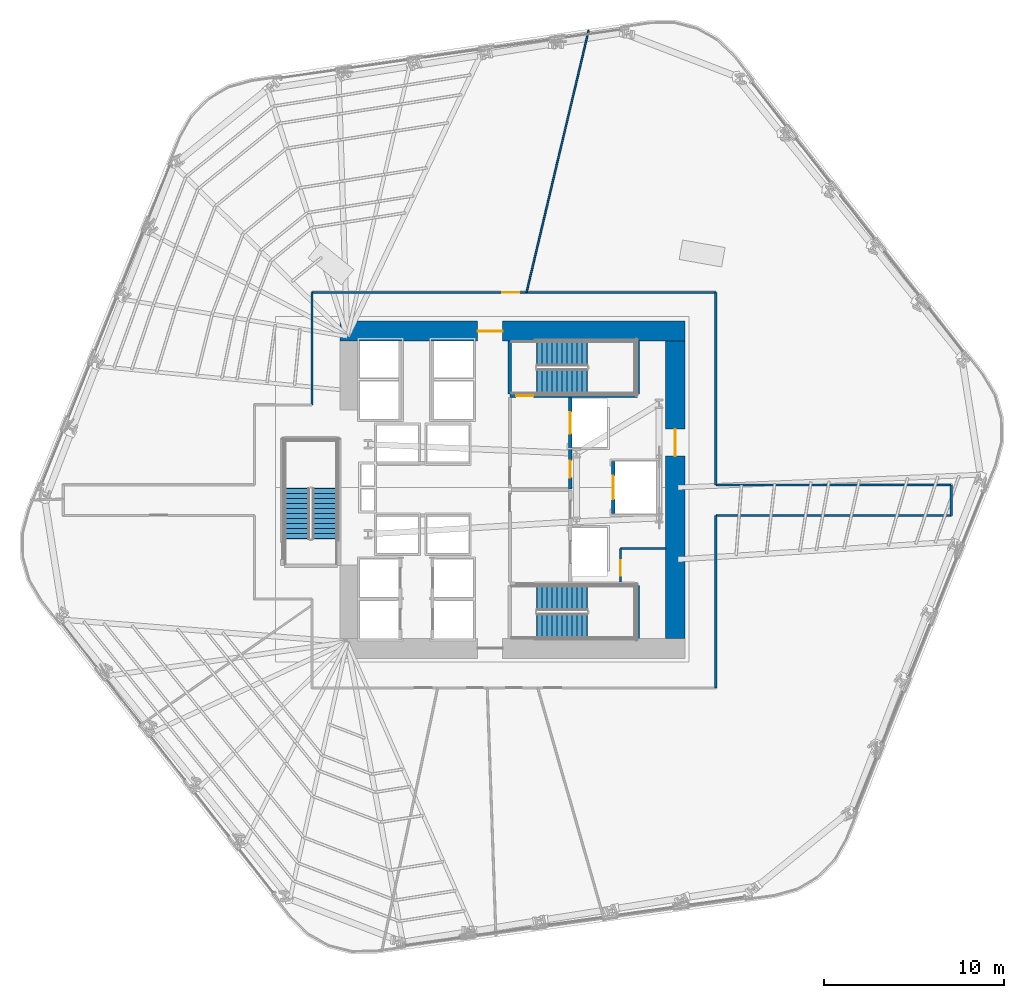
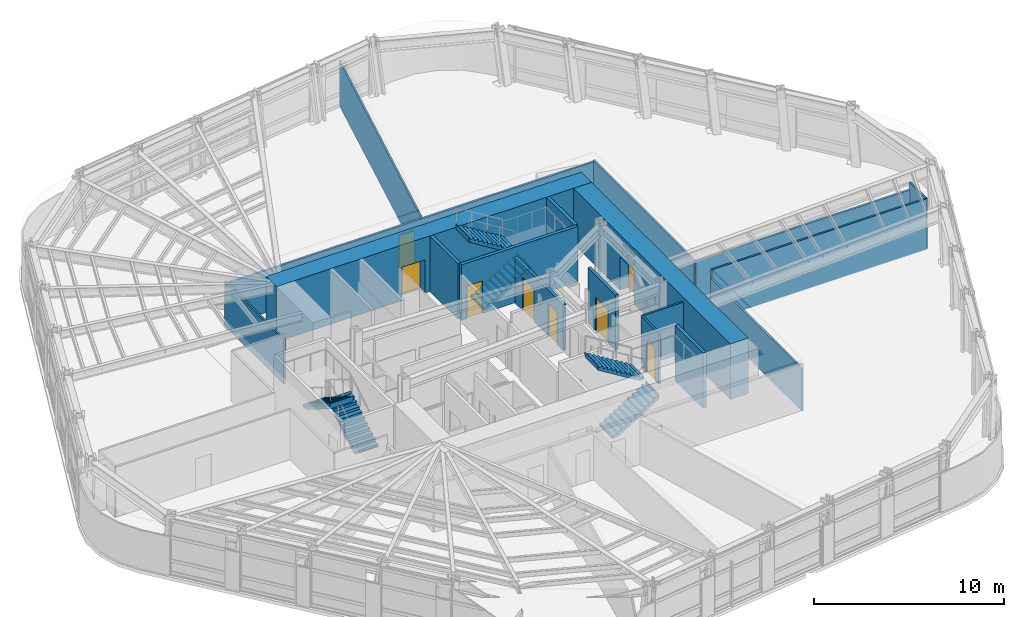
# One storey, part 9 of 16: 18 walls, 8 doors, 6 stair flights, 8 openings, 3 elements without a shape of their own.
"""IFC4 building model written with IfcOpenShell, lengths in metres."""

from ifc_helpers import new_model, si_unit, direction, frame, frame_2d, origin, place, context, subcontext, project, spatial, polyline, rectangle, outline, extrude, material, layer, layer_set, type_object, element, fill, aggregate, save


model = new_model("IFC4")

# Units and contexts
model_context = context("Model", 3, precision=1e-05, world=origin(), true_north=direction((0.0, 1.0)))
body_context = subcontext(model_context, "Body", "Model", "MODEL_VIEW")
ifc_project = project(units=[si_unit("LENGTHUNIT", "METRE"), si_unit("AREAUNIT", "SQUARE_METRE"), si_unit("VOLUMEUNIT", "CUBIC_METRE"), si_unit("PLANEANGLEUNIT", "RADIAN"), si_unit("MASSUNIT", "GRAM", prefix="KILO")], contexts=[model_context])

# Site, building, storey
site_placement = place(None, origin())
site = spatial("IfcSite", under=ifc_project, at=site_placement, CompositionType="ELEMENT")
building_placement = place(site_placement, origin())
building = spatial("IfcBuilding", under=site, at=building_placement, Name="Valkerne Bourse Tower", CompositionType="ELEMENT")
storey_placement = place(building_placement, frame((0.0, 0.0, 58.199951171875)))
storey = spatial("IfcBuildingStorey", under=building, at=storey_placement, Name="L14", CompositionType="ELEMENT", Elevation=58.199951171875)

# Wall, opening, door
ifc_material_1 = material(Name="Concrete C70/85", Category="concrete")
ifc_layer_1 = layer(ifc_material_1, 1.10009765625)
ifc_layer_set_1 = layer_set([ifc_layer_1], Name="Concrete C70/85")
wall_type_1 = type_object("IfcWallType", Name="W-CORE-1100", PredefinedType="SHEAR", material=ifc_layer_set_1)
wall_1_placement = place(storey_placement, frame((37.199951171875, 35.699951171875, 0.0), z_axis=(0.0, 0.0, 1.0), x_axis=(1.0, 0.0, 0.0)))
wall_1 = element("IfcWall", 1, at=wall_1_placement, inside=storey, type_object=wall_type_1, Name="L14 Core Shear Wall NORTH", PredefinedType="SHEAR", context=body_context, shape_type="SweptSolid", body=[
    extrude(rectangle(XDim=19.199951171875, YDim=1.10009765625, at=frame_2d((9.60009765625, 0.0))), origin(), (0.0, 0.0, 1.0), 3.580078125),
])
opening_1_placement = place(wall_1_placement, frame((7.64990234375, 0.0, 0.0)))
opening_1 = element("IfcOpeningElement", 2, at=opening_1_placement, cuts=wall_1, Name="Opening D-PL-1400", PredefinedType="OPENING", context=body_context, shape_type="SweptSolid", body=[
    extrude(rectangle(XDim=1.39990234375, YDim=2.14990234375, at=frame_2d((0.699951171875, 1.074951171875))), frame((0.0, 0.56005859375, 0.0), z_axis=(0.0, -1.0, 0.0), x_axis=(1.0, 0.0, 0.0)), (0.0, 0.0, 1.0), 1.1201171875),
])
ifc_material_2 = material(Name="Galvanised Painted Steel", Category="steel")
door_type_1 = type_object("IfcDoorType", Name="DR-PLT-1400", OperationType="DOUBLE_DOOR_SINGLE_SWING", PredefinedType="DOOR", material=ifc_material_2)
door_1_placement = place(opening_1_placement, origin())
door_1 = element("IfcDoor", 3, at=door_1_placement, inside=storey, type_object=door_type_1, Name="L14 North Passenger Lift Hall Fire Door", OperationType="DOUBLE_DOOR_SINGLE_SWING", OverallHeight=2.14990234375, OverallWidth=1.39990234375, PredefinedType="DOOR", context=body_context, shape_type="SweptSolid", body=[
    extrude(rectangle(XDim=1.39990234375, YDim=2.14990234375, at=frame_2d((0.699951171875, 1.074951171875))), frame((0.0, 0.02490234375, 0.0), z_axis=(0.0, -1.0, 0.0), x_axis=(1.0, 0.0, 0.0)), (0.0, 0.0, 1.0), 0.050048828125),
])
fill(opening_1, door_1)

wall_2_placement = place(storey_placement, frame((55.85009765625, 18.60009765625, 0.0), z_axis=(0.0, 0.0, 1.0), x_axis=(0.0, 1.0, 0.0)))
wall_2 = element("IfcWall", 4, at=wall_2_placement, inside=storey, type_object=wall_type_1, Name="L14 Core Shear Wall EAST", PredefinedType="SHEAR", context=body_context, shape_type="SweptSolid", body=[
    extrude(rectangle(XDim=16.5498046875, YDim=1.10009765625, at=frame_2d((8.27490234375, 0.0))), origin(), (0.0, 0.0, 1.0), 3.580078125),
])
opening_2_placement = place(wall_2_placement, frame((10.14990234375, 0.0, 0.0)))
opening_2 = element("IfcOpeningElement", 5, at=opening_2_placement, cuts=wall_2, Name="Opening D-CR-1500", PredefinedType="OPENING", context=body_context, shape_type="SweptSolid", body=[
    extrude(rectangle(XDim=1.5, YDim=2.14990234375, at=frame_2d((0.75, 1.074951171875))), frame((0.0, 0.56005859375, 0.0), z_axis=(0.0, -1.0, 0.0), x_axis=(1.0, 0.0, 0.0)), (0.0, 0.0, 1.0), 1.1201171875),
])
door_type_2 = type_object("IfcDoorType", Name="DR-CORR-1500", OperationType="DOUBLE_DOOR_SINGLE_SWING", PredefinedType="DOOR", material=ifc_material_2)
door_2_placement = place(opening_2_placement, origin())
door_2 = element("IfcDoor", 6, at=door_2_placement, inside=storey, type_object=door_type_2, Name="L14 East Core Service Lobby Fire Door", OperationType="DOUBLE_DOOR_SINGLE_SWING", OverallHeight=2.14990234375, OverallWidth=1.5, PredefinedType="DOOR", context=body_context, shape_type="SweptSolid", body=[
    extrude(rectangle(XDim=1.5, YDim=2.14990234375, at=frame_2d((0.75, 1.074951171875))), frame((0.0, 0.02490234375, 0.0), z_axis=(0.0, -1.0, 0.0), x_axis=(1.0, 0.0, 0.0)), (0.0, 0.0, 1.0), 0.050048828125),
])
fill(opening_2, door_2)

ifc_material_3 = material(Name="Gypsum Board Steel-Stud Partition", Category="steel")
ifc_layer_2 = layer(ifc_material_3, 0.117919921875)
ifc_layer_set_2 = layer_set([ifc_layer_2], Name="Gypsum Board Steel-Stud Partition")
wall_type_2 = type_object("IfcWallType", Name="W-CORR-140", PredefinedType="PARTITIONING", material=ifc_layer_set_2)
wall_3_placement = place(storey_placement, frame((52.800048828125, 21.75, 0.0), z_axis=(0.0, 0.0, 1.0), x_axis=(0.0, 1.0, 0.0)))
wall_3 = element("IfcWall", 7, at=wall_3_placement, inside=storey, type_object=wall_type_2, Name="L14 Core SE South-Bay West Wall", PredefinedType="PARTITIONING", context=body_context, shape_type="SweptSolid", body=[
    extrude(rectangle(XDim=1.85009765625, YDim=0.117919921875, at=frame_2d((0.925048828125, 0.0))), origin(), (0.0, 0.0, 1.0), 3.280029296875),
])
opening_3_placement = place(wall_3_placement, frame((0.35009765625, 0.0, 0.0)))
opening_3 = element("IfcOpeningElement", 8, at=opening_3_placement, cuts=wall_3, Name="Opening D-WC-900", PredefinedType="OPENING", context=body_context, shape_type="SweptSolid", body=[
    extrude(rectangle(XDim=0.860107421875, YDim=2.050048828125, at=frame_2d((0.43017578125, 1.02490234375))), frame((0.0, 0.06884765625, 0.0), z_axis=(0.0, -1.0, 0.0), x_axis=(1.0, 0.0, 0.0)), (0.0, 0.0, 1.0), 0.137939453125),
])
ifc_material_4 = material(Name="Architectural White Oak Timber", Category="wood")
door_type_3 = type_object("IfcDoorType", Name="DR-WC-900", OperationType="NOTDEFINED", PredefinedType="DOOR", material=ifc_material_4)
door_3_placement = place(opening_3_placement, origin())
door_3 = element("IfcDoor", 9, at=door_3_placement, inside=storey, type_object=door_type_3, Name="L14 Janitor Store Door", OperationType="SINGLE_SWING_RIGHT", OverallHeight=2.050048828125, OverallWidth=0.860107421875, PredefinedType="DOOR", context=body_context, shape_type="SweptSolid", body=[
    extrude(rectangle(XDim=0.860107421875, YDim=2.050048828125, at=frame_2d((0.43017578125, 1.02490234375))), frame((0.0, 0.02490234375, 0.0), z_axis=(0.0, -1.0, 0.0), x_axis=(1.0, 0.0, 0.0)), (0.0, 0.0, 1.0), 0.050048828125),
])
fill(opening_3, door_3)

# Walls
wall_4_placement = place(storey_placement, frame((52.800048828125, 23.60009765625, 0.0), z_axis=(0.0, 0.0, 1.0), x_axis=(1.0, 0.0, 0.0)))
element("IfcWall", 10, at=wall_4_placement, inside=storey, type_object=wall_type_2, Name="L14 Core SE South-Bay North Wall", PredefinedType="PARTITIONING", context=body_context, shape_type="SweptSolid", body=[
    extrude(rectangle(XDim=2.52001953125, YDim=0.117919921875, at=frame_2d((1.260009765625, 0.0))), origin(), (0.0, 0.0, 1.0), 3.280029296875),
])
wall_5_placement = place(storey_placement, frame((58.10009765625, 27.14990234375, 0.0), z_axis=(0.0, 0.0, 1.0), x_axis=(1.0, 0.0, 0.0)))
element("IfcWall", 11, at=wall_5_placement, inside=storey, type_object=wall_type_2, Name="L14 Corridor Enclosure Wall", PredefinedType="PARTITIONING", context=body_context, shape_type="SweptSolid", body=[
    extrude(rectangle(XDim=13.099853515625, YDim=0.117919921875, at=frame_2d((6.5498046875, 0.0))), origin(), (0.0, 0.0, 1.0), 2.800537109375),
])
wall_6_placement = place(storey_placement, frame((71.199951171875, 27.14990234375, 0.0), z_axis=(0.0, 0.0, 1.0), x_axis=(0.0, -1.0, 0.0)))
element("IfcWall", 12, at=wall_6_placement, inside=storey, type_object=wall_type_2, Name="L14 Corridor Enclosure Wall", PredefinedType="PARTITIONING", context=body_context, shape_type="SweptSolid", body=[
    extrude(rectangle(XDim=1.699951171875, YDim=0.117919921875, at=frame_2d((0.85009765625, 0.0))), origin(), (0.0, 0.0, 1.0), 3.260009765625),
])
wall_7_placement = place(storey_placement, frame((71.199951171875, 25.449951171875, 0.0), z_axis=(0.0, 0.0, 1.0), x_axis=(-1.0, 0.0, 0.0)))
element("IfcWall", 13, at=wall_7_placement, inside=storey, type_object=wall_type_2, Name="L14 Corridor Enclosure Wall", PredefinedType="PARTITIONING", context=body_context, shape_type="SweptSolid", body=[
    extrude(rectangle(XDim=13.099853515625, YDim=0.117919921875, at=frame_2d((6.5498046875, 0.0))), origin(), (0.0, 0.0, 1.0), 3.260009765625),
])
wall_8_placement = place(storey_placement, frame((58.10009765625, 25.449951171875, 0.0), z_axis=(0.0, 0.0, 1.0), x_axis=(0.0, -1.0, 0.0)))
element("IfcWall", 14, at=wall_8_placement, inside=storey, type_object=wall_type_2, Name="L14 Corridor Enclosure Wall", PredefinedType="PARTITIONING", context=body_context, shape_type="SweptSolid", body=[
    extrude(rectangle(XDim=9.599853515625, YDim=0.117919921875, at=frame_2d((4.7998046875, 0.0))), origin(), (0.0, 0.0, 1.0), 2.711669921875),
])
wall_9_placement = place(storey_placement, frame((35.64990234375, 31.60009765625, 0.0), z_axis=(0.0, 0.0, 1.0), x_axis=(0.0, 1.0, 0.0)))
element("IfcWall", 15, at=wall_9_placement, inside=storey, type_object=wall_type_2, Name="L14 Corridor Enclosure Wall", PredefinedType="PARTITIONING", context=body_context, shape_type="SweptSolid", body=[
    extrude(rectangle(XDim=6.25, YDim=0.117919921875, at=frame_2d((3.125, 0.0))), origin(), (0.0, 0.0, 1.0), 2.876708984375),
])

# Wall, opening, door
wall_10_placement = place(storey_placement, frame((35.64990234375, 37.85009765625, 0.0), z_axis=(0.0, 0.0, 1.0), x_axis=(1.0, 0.0, 0.0)))
wall_10 = element("IfcWall", 16, at=wall_10_placement, inside=storey, type_object=wall_type_2, Name="L14 Corridor Enclosure Wall", PredefinedType="PARTITIONING", context=body_context, shape_type="SweptSolid", body=[
    extrude(rectangle(XDim=22.4501953125, YDim=0.117919921875, at=frame_2d((11.22509765625, 0.0))), origin(), (0.0, 0.0, 1.0), 2.711669921875),
])
opening_4_placement = place(wall_10_placement, frame((10.570068359375, 0.0, 0.0)))
opening_4 = element("IfcOpeningElement", 17, at=opening_4_placement, cuts=wall_10, Name="Opening D-OF-950", PredefinedType="OPENING", context=body_context, shape_type="SweptSolid", body=[
    extrude(rectangle(XDim=0.949951171875, YDim=2.10009765625, at=frame_2d((0.47509765625, 1.050048828125))), frame((0.0, 0.06884765625, 0.0), z_axis=(0.0, -1.0, 0.0), x_axis=(1.0, 0.0, 0.0)), (0.0, 0.0, 1.0), 0.137939453125),
])
door_type_4 = type_object("IfcDoorType", Name="DR-OFF-950", OperationType="NOTDEFINED", PredefinedType="DOOR", material=ifc_material_4)
door_4_placement = place(opening_4_placement, origin())
door_4 = element("IfcDoor", 18, at=door_4_placement, inside=storey, type_object=door_type_4, Name="L14 L14 Commodities Market Showroom 5 Door", OperationType="SINGLE_SWING_LEFT", OverallHeight=2.10009765625, OverallWidth=0.949951171875, PredefinedType="DOOR", context=body_context, shape_type="SweptSolid", body=[
    extrude(rectangle(XDim=0.949951171875, YDim=2.10009765625, at=frame_2d((0.47509765625, 1.050048828125))), frame((0.0, 0.02490234375, 0.0), z_axis=(0.0, -1.0, 0.0), x_axis=(1.0, 0.0, 0.0)), (0.0, 0.0, 1.0), 0.050048828125),
])
fill(opening_4, door_4)

# Wall
wall_11_placement = place(storey_placement, frame((58.10009765625, 37.85009765625, 0.0), z_axis=(0.0, 0.0, 1.0), x_axis=(0.0, -1.0, 0.0)))
element("IfcWall", 19, at=wall_11_placement, inside=storey, type_object=wall_type_2, Name="L14 Corridor Enclosure Wall", PredefinedType="PARTITIONING", context=body_context, shape_type="SweptSolid", body=[
    extrude(rectangle(XDim=10.7001953125, YDim=0.117919921875, at=frame_2d((5.35009765625, 0.0))), origin(), (0.0, 0.0, 1.0), 2.800537109375),
])

# Wall, openings, doors
ifc_material_5 = material(Name="Gypsum Fire-Rated Shaftwall", Category="gypsum")
ifc_layer_3 = layer(ifc_material_5, 0.179931640625)
ifc_layer_set_3 = layer_set([ifc_layer_3], Name="Gypsum Fire-Rated Shaftwall")
wall_type_3 = type_object("IfcWallType", Name="W-FSAE-180", PredefinedType="PARTITIONING", material=ifc_layer_set_3)
wall_12_placement = place(storey_placement, frame((50.0, 26.919921875, 0.0), z_axis=(0.0, 0.0, 1.0), x_axis=(0.0, 1.0, 0.0)))
wall_12 = element("IfcWall", 20, at=wall_12_placement, inside=storey, type_object=wall_type_3, Name="L14 FSAE-2 Lobby & Shaft Front Wall", PredefinedType="PARTITIONING", context=body_context, shape_type="SweptSolid", body=[
    extrude(rectangle(XDim=5.080078125, YDim=0.179931640625, at=frame_2d((2.5400390625, 0.0))), origin(), (0.0, 0.0, 1.0), 2.9580078125),
])
opening_5_placement = place(wall_12_placement, frame((3.080078125, 0.0, 0.0)))
opening_5 = element("IfcOpeningElement", 21, at=opening_5_placement, cuts=wall_12, Name="Opening LD-1200", PredefinedType="OPENING", context=body_context, shape_type="SweptSolid", body=[
    extrude(rectangle(XDim=1.199951171875, YDim=2.14990234375, at=frame_2d((0.60009765625, 1.074951171875))), frame((0.0, 0.099853515625, 0.0), z_axis=(0.0, -1.0, 0.0), x_axis=(1.0, 0.0, 0.0)), (0.0, 0.0, 1.0), 0.199951171875),
])
opening_6_placement = place(wall_12_placement, frame((0.6298828125, 0.0, 0.0)))
opening_6 = element("IfcOpeningElement", 22, at=opening_6_placement, cuts=wall_12, Name="Opening D-FS-950", PredefinedType="OPENING", context=body_context, shape_type="SweptSolid", body=[
    extrude(rectangle(XDim=0.949951171875, YDim=2.10009765625, at=frame_2d((0.47509765625, 1.050048828125))), frame((0.0, 0.099853515625, 0.0), z_axis=(0.0, -1.0, 0.0), x_axis=(1.0, 0.0, 0.0)), (0.0, 0.0, 1.0), 0.199951171875),
])
door_type_5 = type_object("IfcDoorType", Name="DR-FSAE-950", OperationType="NOTDEFINED", PredefinedType="DOOR", material=ifc_material_2)
door_5_placement = place(opening_6_placement, origin())
door_5 = element("IfcDoor", 23, at=door_5_placement, inside=storey, type_object=door_type_5, Name="L14 FSAE-2 Lobby Corridor Fire Door", OperationType="SINGLE_SWING_RIGHT", OverallHeight=2.10009765625, OverallWidth=0.949951171875, PredefinedType="DOOR", context=body_context, shape_type="SweptSolid", body=[
    extrude(rectangle(XDim=0.949951171875, YDim=2.10009765625, at=frame_2d((0.47509765625, 1.050048828125))), frame((0.0, 0.02490234375, 0.0), z_axis=(0.0, -1.0, 0.0), x_axis=(1.0, 0.0, 0.0)), (0.0, 0.0, 1.0), 0.050048828125),
])
fill(opening_6, door_5)
ifc_material_6 = material(Name="Stainless Steel AISI 316", Category="steel")
door_type_6 = type_object("IfcDoorType", Name="DR-LIFT-1200", OperationType="DOUBLE_DOOR_SLIDING", PredefinedType="DOOR", material=ifc_material_6)
door_6_placement = place(opening_5_placement, origin())
door_6 = element("IfcDoor", 24, at=door_6_placement, inside=storey, type_object=door_type_6, Name="L14 FSAE-2 Firefighting Lift Landing Door", OperationType="DOUBLE_DOOR_SLIDING", OverallHeight=2.14990234375, OverallWidth=1.199951171875, PredefinedType="DOOR", context=body_context, shape_type="SweptSolid", body=[
    extrude(rectangle(XDim=1.199951171875, YDim=2.14990234375, at=frame_2d((0.60009765625, 1.074951171875))), frame((0.0, 0.02490234375, 0.0), z_axis=(0.0, -1.0, 0.0), x_axis=(1.0, 0.0, 0.0)), (0.0, 0.0, 1.0), 0.050048828125),
])
fill(opening_5, door_6)

# Wall, opening, door
ifc_material_7 = material(Name="CMU Blockwork Masonry 200mm", Category="masonry")
ifc_layer_4 = layer(ifc_material_7, 0.179931640625)
ifc_layer_set_4 = layer_set([ifc_layer_4], Name="CMU Blockwork Masonry 200mm")
wall_type_4 = type_object("IfcWallType", Name="W-LFT-180", PredefinedType="SOLIDWALL", material=ifc_layer_set_4)
wall_13_placement = place(storey_placement, frame((52.39990234375, 25.550048828125, 0.0), z_axis=(0.0, 0.0, 1.0), x_axis=(0.0, 1.0, 0.0)))
wall_13 = element("IfcWall", 25, at=wall_13_placement, inside=storey, type_object=wall_type_4, Name="L14 Service Lift SV-1 Front Wall", PredefinedType="SOLIDWALL", context=body_context, shape_type="SweptSolid", body=[
    extrude(rectangle(XDim=2.89990234375, YDim=0.179931640625, at=frame_2d((1.449951171875, 0.0))), origin(), (0.0, 0.0, 1.0), 3.580078125),
])
opening_7_placement = place(wall_13_placement, frame((0.800048828125, 0.0, 0.0)))
opening_7 = element("IfcOpeningElement", 26, at=opening_7_placement, cuts=wall_13, Name="Opening LD-1300", PredefinedType="OPENING", context=body_context, shape_type="SweptSolid", body=[
    extrude(rectangle(XDim=1.300048828125, YDim=2.14990234375, at=frame_2d((0.64990234375, 1.074951171875))), frame((0.0, 0.099853515625, 0.0), z_axis=(0.0, -1.0, 0.0), x_axis=(1.0, 0.0, 0.0)), (0.0, 0.0, 1.0), 0.199951171875),
])
door_type_7 = type_object("IfcDoorType", Name="DR-LIFT-1300", OperationType="DOUBLE_DOOR_SLIDING", PredefinedType="DOOR", material=ifc_material_6)
door_7_placement = place(opening_7_placement, origin())
door_7 = element("IfcDoor", 27, at=door_7_placement, inside=storey, type_object=door_type_7, Name="L14 Service Lift SV-1 Landing Door", OperationType="DOUBLE_DOOR_SLIDING", OverallHeight=2.14990234375, OverallWidth=1.300048828125, PredefinedType="DOOR", context=body_context, shape_type="SweptSolid", body=[
    extrude(rectangle(XDim=1.300048828125, YDim=2.14990234375, at=frame_2d((0.64990234375, 1.074951171875))), frame((0.0, 0.02490234375, 0.0), z_axis=(0.0, -1.0, 0.0), x_axis=(1.0, 0.0, 0.0)), (0.0, 0.0, 1.0), 0.050048828125),
])
fill(opening_7, door_7)

# Walls
ifc_layer_5 = layer(ifc_material_3, 0.092041015625)
ifc_layer_set_5 = layer_set([ifc_layer_5], Name="Gypsum Board Steel-Stud Partition")
wall_type_5 = type_object("IfcWallType", Name="W-PART-115", PredefinedType="PARTITIONING", material=ifc_layer_set_5)
wall_14_placement = place(storey_placement, frame((47.572998046875, 37.85498046875, 0.0), z_axis=(0.0, 0.0, 1.0), x_axis=(0.230667478123, 0.97303263796, 0.0)))
element("IfcWall", 28, at=wall_14_placement, inside=storey, type_object=wall_type_5, Name="L14 Suite Partition P04", PredefinedType="PARTITIONING", context=body_context, shape_type="SweptSolid", body=[
    extrude(rectangle(XDim=14.974365234375, YDim=0.092041015625, at=frame_2d((7.4873046875, 0.0))), origin(), (0.0, 0.0, 1.0), 2.864013671875),
])
ifc_material_8 = material(Name="Concrete C40/50", Category="concrete")
ifc_layer_6 = layer(ifc_material_8, 0.199951171875)
ifc_layer_set_6 = layer_set([ifc_layer_6], Name="Concrete C40/50")
wall_type_6 = type_object("IfcWallType", Name="W-SHF-200", PredefinedType="SHEAR", material=ifc_layer_set_6)
wall_15_placement = place(storey_placement, frame((53.75, 18.60009765625, 0.0), z_axis=(0.0, 0.0, 1.0), x_axis=(0.0, 1.0, 0.0)))
element("IfcWall", 29, at=wall_15_placement, inside=storey, type_object=wall_type_6, Name="L14 Exit Stair ST-1 Structural Shaft Wall East", PredefinedType="SHEAR", context=body_context, shape_type="SweptSolid", body=[
    extrude(rectangle(XDim=2.949951171875, YDim=0.199951171875, at=frame_2d((1.47509765625, 0.0))), origin(), (0.0, 0.0, 1.0), 3.580078125),
])

# Wall, opening, door
wall_16_placement = place(storey_placement, frame((46.64990234375, 32.10009765625, 0.0), z_axis=(0.0, 0.0, 1.0), x_axis=(1.0, 0.0, 0.0)))
wall_16 = element("IfcWall", 30, at=wall_16_placement, inside=storey, type_object=wall_type_6, Name="L14 Exit Stair ST-2 Structural Shaft Wall South", PredefinedType="SHEAR", context=body_context, shape_type="SweptSolid", body=[
    extrude(rectangle(XDim=7.10009765625, YDim=0.199951171875, at=frame_2d((3.550048828125, 0.0))), origin(), (0.0, 0.0, 1.0), 3.580078125),
])
opening_8_placement = place(wall_16_placement, frame((0.35009765625, 0.0, 0.0)))
opening_8 = element("IfcOpeningElement", 31, at=opening_8_placement, cuts=wall_16, Name="Opening D-ST-950", PredefinedType="OPENING", context=body_context, shape_type="SweptSolid", body=[
    extrude(rectangle(XDim=0.949951171875, YDim=2.10009765625, at=frame_2d((0.47509765625, 1.050048828125))), frame((0.0, 0.10986328125, 0.0), z_axis=(0.0, -1.0, 0.0), x_axis=(1.0, 0.0, 0.0)), (0.0, 0.0, 1.0), 0.219970703125),
])
door_type_8 = type_object("IfcDoorType", Name="DR-STAIR-950", OperationType="NOTDEFINED", PredefinedType="DOOR", material=ifc_material_2)
door_8_placement = place(opening_8_placement, origin())
door_8 = element("IfcDoor", 32, at=door_8_placement, inside=storey, type_object=door_type_8, Name="L14 Exit Stair ST-2 Door", OperationType="SINGLE_SWING_RIGHT", OverallHeight=2.10009765625, OverallWidth=0.949951171875, PredefinedType="DOOR", context=body_context, shape_type="SweptSolid", body=[
    extrude(rectangle(XDim=0.949951171875, YDim=2.10009765625, at=frame_2d((0.47509765625, 1.050048828125))), frame((0.0, 0.02490234375, 0.0), z_axis=(0.0, -1.0, 0.0), x_axis=(1.0, 0.0, 0.0)), (0.0, 0.0, 1.0), 0.050048828125),
])
fill(opening_8, door_8)

# Walls
for number, where, z_axis, x_axis, name in (
    (33, (46.64990234375, 32.199951171875, 0.0), (0.0, 0.0, 1.0), (0.0, 1.0, 0.0), "L14 Exit Stair ST-2 Structural Shaft Wall West"),
    (34, (53.75, 32.199951171875, 0.0), (0.0, 0.0, 1.0), (0.0, 1.0, 0.0), "L14 Exit Stair ST-2 Structural Shaft Wall East"),
):
    element("IfcWall", number, at=place(storey_placement, frame(where, z_axis=z_axis, x_axis=x_axis)), inside=storey, type_object=wall_type_6, Name=name, PredefinedType="SHEAR", context=body_context, shape_type="SweptSolid", body=[
        extrude(rectangle(XDim=2.949951171875, YDim=0.199951171875, at=frame_2d((1.47509765625, 0.0))), origin(), (0.0, 0.0, 1.0), 3.580078125),
    ])

# Stair, stair flights
stair_type = type_object("IfcStairType", Name="ST-CORE-1400", PredefinedType="HALF_TURN_STAIR", material=ifc_material_8)
stair_1_placement = place(storey_placement, origin())
stair_1 = element("IfcStair", 35, at=stair_1_placement, inside=storey, type_object=stair_type, Name="L14 ST-1", PredefinedType="HALF_TURN_STAIR")
stair_flight_type = type_object("IfcStairFlightType", Name="STF-CORE-1400", PredefinedType="STRAIGHT", material=ifc_material_8)
stair_flight_1_placement = place(storey_placement, frame((48.14990234375, 19.300048828125, 0.0), z_axis=(0.0, 0.0, 1.0), x_axis=(1.0, 0.0, 0.0)))
stair_flight_1 = element("IfcStairFlight", 36, at=stair_flight_1_placement, type_object=stair_flight_type, Name="ST-1 flight 1", NumberOfRisers=11, NumberOfTreads=10, PredefinedType="STRAIGHT", RiserHeight=0.172727273, TreadLength=0.28, context=body_context, shape_type="SweptSolid", body=[
    extrude(outline(polyline([(-0.02001953125, 0.0), (-0.02001953125, 0.044921875), (0.0, 0.044921875), (0.0, 0.172607421875), (0.280029296875, 0.172607421875), (0.280029296875, 0.345458984375), (0.56005859375, 0.345458984375), (0.56005859375, 0.51806640625), (0.840087890625, 0.51806640625), (0.840087890625, 0.69091796875), (1.1201171875, 0.69091796875), (1.1201171875, 0.863525390625), (1.39990234375, 0.863525390625), (1.39990234375, 1.036376953125), (1.679931640625, 1.036376953125), (1.679931640625, 1.208984375), (1.9599609375, 1.208984375), (1.9599609375, 1.3818359375), (2.239990234375, 1.3818359375), (2.239990234375, 1.554443359375), (2.52001953125, 1.554443359375), (2.52001953125, 1.727294921875), (2.800048828125, 1.727294921875), (2.800048828125, 1.89990234375), (2.820068359375, 1.89990234375), (2.820068359375, 1.780029296875), (2.800048828125, 1.551025390625), (0.285400390625, 0.0), (-0.02001953125, 0.0)])), frame((0.0, 0.699951171875, 0.0), z_axis=(0.0, -1.0, 0.0), x_axis=(1.0, 0.0, 0.0)), (0.0, 0.0, 1.0), 1.39990234375),
])
stair_flight_2_placement = place(storey_placement, frame((50.949951171875, 20.85009765625, 1.900146484375), z_axis=(0.0, 0.0, 1.0), x_axis=(-1.0, 0.0, 0.0)))
stair_flight_2 = element("IfcStairFlight", 37, at=stair_flight_2_placement, type_object=stair_flight_type, Name="ST-1 flight 2", NumberOfRisers=11, NumberOfTreads=10, PredefinedType="STRAIGHT", RiserHeight=0.172727273, TreadLength=0.28, context=body_context, shape_type="SweptSolid", body=[
    extrude(outline(polyline([(-0.02001953125, 0.0), (-0.02001953125, 0.044921875), (0.0, 0.044921875), (0.0, 0.172607421875), (0.280029296875, 0.172607421875), (0.280029296875, 0.345458984375), (0.56005859375, 0.345458984375), (0.56005859375, 0.51806640625), (0.840087890625, 0.51806640625), (0.840087890625, 0.69091796875), (1.1201171875, 0.69091796875), (1.1201171875, 0.863525390625), (1.39990234375, 0.863525390625), (1.39990234375, 1.036376953125), (1.679931640625, 1.036376953125), (1.679931640625, 1.208984375), (1.9599609375, 1.208984375), (1.9599609375, 1.3818359375), (2.239990234375, 1.3818359375), (2.239990234375, 1.554443359375), (2.52001953125, 1.554443359375), (2.52001953125, 1.727294921875), (2.800048828125, 1.727294921875), (2.800048828125, 1.89990234375), (2.820068359375, 1.89990234375), (2.820068359375, 1.780029296875), (2.800048828125, 1.551025390625), (0.285400390625, 0.0), (-0.02001953125, 0.0)])), frame((0.0, 0.699951171875, 0.0), z_axis=(0.0, -1.0, 0.0), x_axis=(1.0, 0.0, 0.0)), (0.0, 0.0, 1.0), 1.39990234375),
])
aggregate(stair_1, [stair_flight_1, stair_flight_2])

stair_2_placement = place(storey_placement, origin())
stair_2 = element("IfcStair", 38, at=stair_2_placement, inside=storey, type_object=stair_type, Name="L14 ST-2", PredefinedType="HALF_TURN_STAIR")
stair_flight_3_placement = place(storey_placement, frame((48.14990234375, 32.89990234375, 0.0), z_axis=(0.0, 0.0, 1.0), x_axis=(1.0, 0.0, 0.0)))
stair_flight_3 = element("IfcStairFlight", 39, at=stair_flight_3_placement, type_object=stair_flight_type, Name="ST-2 flight 1", NumberOfRisers=11, NumberOfTreads=10, PredefinedType="STRAIGHT", RiserHeight=0.172727273, TreadLength=0.28, context=body_context, shape_type="SweptSolid", body=[
    extrude(outline(polyline([(-0.02001953125, 0.0), (-0.02001953125, 0.044921875), (0.0, 0.044921875), (0.0, 0.172607421875), (0.280029296875, 0.172607421875), (0.280029296875, 0.345458984375), (0.56005859375, 0.345458984375), (0.56005859375, 0.51806640625), (0.840087890625, 0.51806640625), (0.840087890625, 0.69091796875), (1.1201171875, 0.69091796875), (1.1201171875, 0.863525390625), (1.39990234375, 0.863525390625), (1.39990234375, 1.036376953125), (1.679931640625, 1.036376953125), (1.679931640625, 1.208984375), (1.9599609375, 1.208984375), (1.9599609375, 1.3818359375), (2.239990234375, 1.3818359375), (2.239990234375, 1.554443359375), (2.52001953125, 1.554443359375), (2.52001953125, 1.727294921875), (2.800048828125, 1.727294921875), (2.800048828125, 1.89990234375), (2.820068359375, 1.89990234375), (2.820068359375, 1.780029296875), (2.800048828125, 1.551025390625), (0.285400390625, 0.0), (-0.02001953125, 0.0)])), frame((0.0, 0.699951171875, 0.0), z_axis=(0.0, -1.0, 0.0), x_axis=(1.0, 0.0, 0.0)), (0.0, 0.0, 1.0), 1.39990234375),
])
stair_flight_4_placement = place(storey_placement, frame((50.949951171875, 34.449951171875, 1.900146484375), z_axis=(0.0, 0.0, 1.0), x_axis=(-1.0, 0.0, 0.0)))
stair_flight_4 = element("IfcStairFlight", 40, at=stair_flight_4_placement, type_object=stair_flight_type, Name="ST-2 flight 2", NumberOfRisers=11, NumberOfTreads=10, PredefinedType="STRAIGHT", RiserHeight=0.172727273, TreadLength=0.28, context=body_context, shape_type="SweptSolid", body=[
    extrude(outline(polyline([(-0.02001953125, 0.0), (-0.02001953125, 0.044921875), (0.0, 0.044921875), (0.0, 0.172607421875), (0.280029296875, 0.172607421875), (0.280029296875, 0.345458984375), (0.56005859375, 0.345458984375), (0.56005859375, 0.51806640625), (0.840087890625, 0.51806640625), (0.840087890625, 0.69091796875), (1.1201171875, 0.69091796875), (1.1201171875, 0.863525390625), (1.39990234375, 0.863525390625), (1.39990234375, 1.036376953125), (1.679931640625, 1.036376953125), (1.679931640625, 1.208984375), (1.9599609375, 1.208984375), (1.9599609375, 1.3818359375), (2.239990234375, 1.3818359375), (2.239990234375, 1.554443359375), (2.52001953125, 1.554443359375), (2.52001953125, 1.727294921875), (2.800048828125, 1.727294921875), (2.800048828125, 1.89990234375), (2.820068359375, 1.89990234375), (2.820068359375, 1.780029296875), (2.800048828125, 1.551025390625), (0.285400390625, 0.0), (-0.02001953125, 0.0)])), frame((0.0, 0.699951171875, 0.0), z_axis=(0.0, -1.0, 0.0), x_axis=(1.0, 0.0, 0.0)), (0.0, 0.0, 1.0), 1.39990234375),
])
aggregate(stair_2, [stair_flight_3, stair_flight_4])

stair_3_placement = place(storey_placement, origin())
stair_3 = element("IfcStair", 41, at=stair_3_placement, inside=storey, type_object=stair_type, Name="L14 ST-3", PredefinedType="HALF_TURN_STAIR")
stair_flight_5_placement = place(storey_placement, frame((36.35009765625, 24.14990234375, 0.0), z_axis=(0.0, 0.0, 1.0), x_axis=(0.0, 1.0, 0.0)))
stair_flight_5 = element("IfcStairFlight", 42, at=stair_flight_5_placement, type_object=stair_flight_type, Name="ST-3 flight 1", NumberOfRisers=11, NumberOfTreads=10, PredefinedType="STRAIGHT", RiserHeight=0.172727273, TreadLength=0.28, context=body_context, shape_type="SweptSolid", body=[
    extrude(outline(polyline([(-0.02001953125, 0.0), (-0.02001953125, 0.044921875), (0.0, 0.044921875), (0.0, 0.172607421875), (0.280029296875, 0.172607421875), (0.280029296875, 0.345458984375), (0.56005859375, 0.345458984375), (0.56005859375, 0.51806640625), (0.840087890625, 0.51806640625), (0.840087890625, 0.69091796875), (1.1201171875, 0.69091796875), (1.1201171875, 0.863525390625), (1.39990234375, 0.863525390625), (1.39990234375, 1.036376953125), (1.679931640625, 1.036376953125), (1.679931640625, 1.208984375), (1.9599609375, 1.208984375), (1.9599609375, 1.3818359375), (2.239990234375, 1.3818359375), (2.239990234375, 1.554443359375), (2.52001953125, 1.554443359375), (2.52001953125, 1.727294921875), (2.800048828125, 1.727294921875), (2.800048828125, 1.89990234375), (2.820068359375, 1.89990234375), (2.820068359375, 1.780029296875), (2.800048828125, 1.551025390625), (0.285400390625, 0.0), (-0.02001953125, 0.0)])), frame((0.0, 0.699951171875, 0.0), z_axis=(0.0, -1.0, 0.0), x_axis=(1.0, 0.0, 0.0)), (0.0, 0.0, 1.0), 1.39990234375),
])
stair_flight_6_placement = place(storey_placement, frame((34.800048828125, 26.949951171875, 1.900146484375), z_axis=(0.0, 0.0, 1.0), x_axis=(0.0, -1.0, 0.0)))
stair_flight_6 = element("IfcStairFlight", 43, at=stair_flight_6_placement, type_object=stair_flight_type, Name="ST-3 flight 2", NumberOfRisers=11, NumberOfTreads=10, PredefinedType="STRAIGHT", RiserHeight=0.172727273, TreadLength=0.28, context=body_context, shape_type="SweptSolid", body=[
    extrude(outline(polyline([(-0.02001953125, 0.0), (-0.02001953125, 0.044921875), (0.0, 0.044921875), (0.0, 0.172607421875), (0.280029296875, 0.172607421875), (0.280029296875, 0.345458984375), (0.56005859375, 0.345458984375), (0.56005859375, 0.51806640625), (0.840087890625, 0.51806640625), (0.840087890625, 0.69091796875), (1.1201171875, 0.69091796875), (1.1201171875, 0.863525390625), (1.39990234375, 0.863525390625), (1.39990234375, 1.036376953125), (1.679931640625, 1.036376953125), (1.679931640625, 1.208984375), (1.9599609375, 1.208984375), (1.9599609375, 1.3818359375), (2.239990234375, 1.3818359375), (2.239990234375, 1.554443359375), (2.52001953125, 1.554443359375), (2.52001953125, 1.727294921875), (2.800048828125, 1.727294921875), (2.800048828125, 1.89990234375), (2.820068359375, 1.89990234375), (2.820068359375, 1.780029296875), (2.800048828125, 1.551025390625), (0.285400390625, 0.0), (-0.02001953125, 0.0)])), frame((0.0, 0.699951171875, 0.0), z_axis=(0.0, -1.0, 0.0), x_axis=(1.0, 0.0, 0.0)), (0.0, 0.0, 1.0), 1.39990234375),
])
aggregate(stair_3, [stair_flight_5, stair_flight_6])

save(model, "model.ifc")
